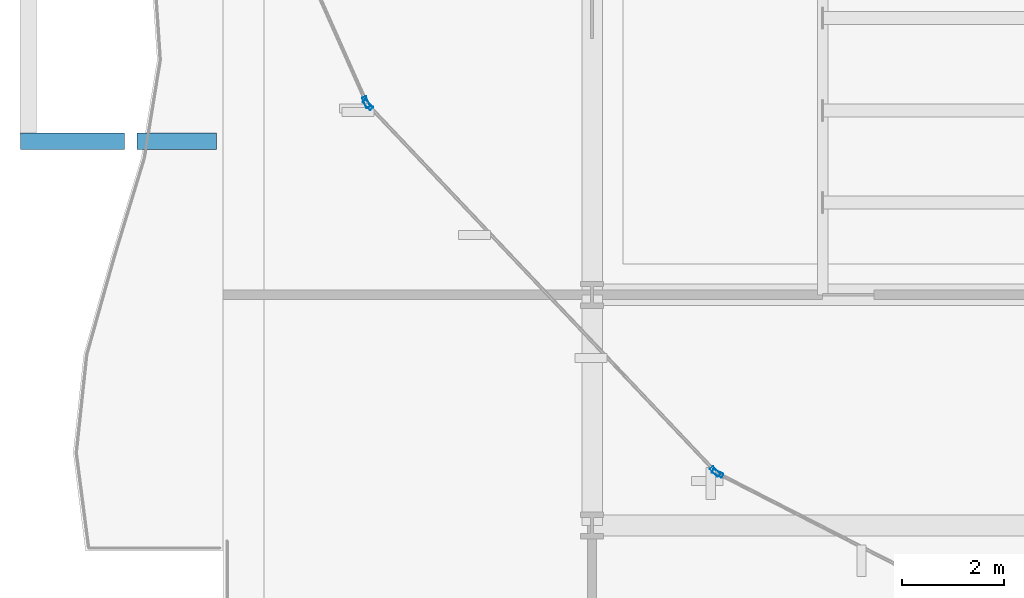
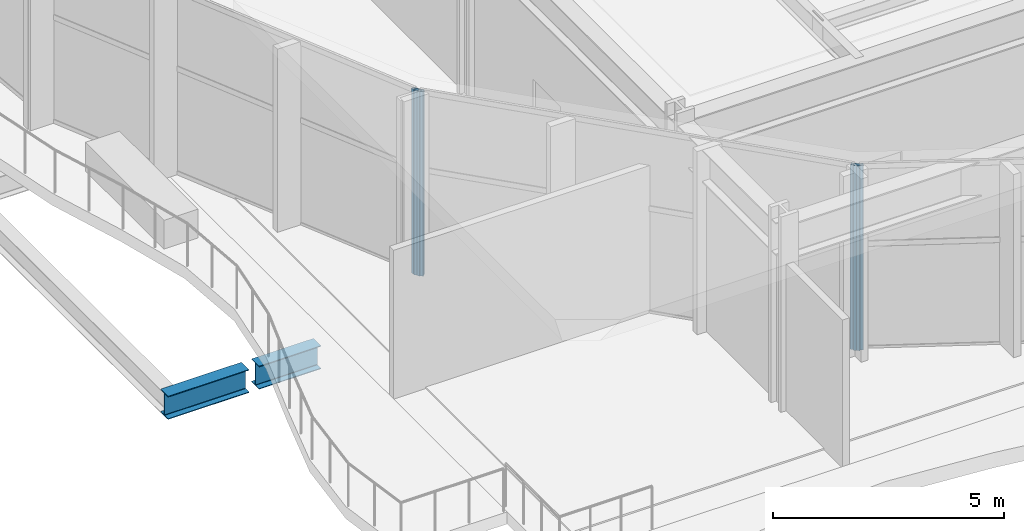
# One storey, part 2 of 33: 4 members, 2 beams, 3 elements without a shape of their own.
"""IFC4 building model written with IfcOpenShell, lengths in metres."""

from ifc_helpers import new_model, si_unit, direction, frame, origin, origin_2d, place, context, subcontext, project, spatial, hollow_rectangle, i_section, extrude, material, layer, layer_set, material_profile, profile_set, type_object, element, aggregate, save


model = new_model("IFC4")

# Units and contexts
model_context = context("Model", 3, precision=1e-05, world=origin(), true_north=direction((0.0, 1.0)))
body_context = subcontext(model_context, "Body", "Model", "MODEL_VIEW")
ifc_project = project(units=[si_unit("LENGTHUNIT", "METRE"), si_unit("AREAUNIT", "SQUARE_METRE"), si_unit("VOLUMEUNIT", "CUBIC_METRE"), si_unit("PLANEANGLEUNIT", "RADIAN"), si_unit("MASSUNIT", "GRAM", prefix="KILO")], contexts=[model_context])

# Site, building, storey
site_placement = place(None, origin())
site = spatial("IfcSite", under=ifc_project, at=site_placement, CompositionType="ELEMENT")
building_placement = place(site_placement, origin())
building = spatial("IfcBuilding", under=site, at=building_placement, Name="Solvaryn Broadcast Tower", CompositionType="ELEMENT")
storey_placement = place(building_placement, frame((0.0, 0.0, 5.800048828125)))
storey = spatial("IfcBuildingStorey", under=building, at=storey_placement, Name="L01", CompositionType="ELEMENT", Elevation=5.800048828125)

# Beams
ifc_material_1 = material(Name="Steel ASTM A992 Grade 50", Category="steel")
ifc_material_profile_1 = material_profile(ifc_material_1, i_section(OverallWidth=0.323974609375, OverallDepth=0.611083984375, WebThickness=0.0126953125, FlangeThickness=0.01904296875, FilletRadius=0.014892578125, at=origin_2d()))
ifc_profile_set_1 = profile_set([ifc_material_profile_1], Name="Steel ASTM A992 Grade 50")
beam_type_1 = type_object("IfcBeamType", Name="BM-B1-W24X104", PredefinedType="BEAM", material=ifc_profile_set_1)
beam_1_placement = place(storey_placement, frame((1.675048828125, 12.0, -0.62548828125), z_axis=(-1.0, 0.0, 0.0), x_axis=(0.0, -1.0, 0.0)))
element("IfcBeam", 1, at=beam_1_placement, inside=storey, type_object=beam_type_1, Name="L01 West Terrace Back-Span Beam Y12", PredefinedType="BEAM", context=body_context, shape_type="SweptSolid", body=[
    extrude(i_section(OverallWidth=0.323974609375, OverallDepth=0.611083984375, WebThickness=0.0126953125, FlangeThickness=0.01904296875, FilletRadius=0.014892578125, at=origin_2d()), origin(), (0.0, 0.0, 1.0), 1.550048828125),
])
ifc_material_2 = material(Name="Steel ASTM A992 Grade 50", Category="steel")
ifc_material_profile_2 = material_profile(ifc_material_2, i_section(OverallWidth=0.323974609375, OverallDepth=0.611083984375, WebThickness=0.0126953125, FlangeThickness=0.01904296875, FilletRadius=0.014892578125, at=origin_2d()))
ifc_profile_set_2 = profile_set([ifc_material_profile_2], Name="Steel ASTM A992 Grade 50")
beam_type_2 = type_object("IfcBeamType", Name="BM-CANT-TER", PredefinedType="BEAM", material=ifc_profile_set_2)
beam_2_placement = place(storey_placement, frame((-0.125, 12.0, -0.62548828125), z_axis=(-1.0, 0.0, 0.0), x_axis=(0.0, -1.0, 0.0)))
element("IfcBeam", 2, at=beam_2_placement, inside=storey, type_object=beam_type_2, Name="L01 West Terrace Cantilever Beam Y12", PredefinedType="BEAM", context=body_context, shape_type="SweptSolid", body=[
    extrude(i_section(OverallWidth=0.323974609375, OverallDepth=0.611083984375, WebThickness=0.0126953125, FlangeThickness=0.01904296875, FilletRadius=0.014892578125, at=origin_2d()), origin(), (0.0, 0.0, 1.0), 2.02490234375),
])

# Curtain wall, member
ifc_material_3 = material(Name="Aluminium and Terracotta Unitised Curtain Wall", Category="masonry")
ifc_layer = layer(ifc_material_3, 0.219970703125)
ifc_layer_set = layer_set([ifc_layer], Name="CW-SYS1-PODIUM")
curtain_wall_type = type_object("IfcCurtainWallType", Name="CW-SYS1-PODIUM", PredefinedType="NOTDEFINED", material=ifc_layer_set)
curtain_wall_1_placement = place(storey_placement, origin())
curtain_wall_1 = element("IfcCurtainWall", 3, at=curtain_wall_1_placement, inside=storey, type_object=curtain_wall_type, Name="L01 Podium Curtain Wall DC2", PredefinedType="NOTDEFINED")
ifc_material_4 = material(Name="Anodised Aluminium 6063-T6", Category="aluminium")
ifc_material_profile_3 = material_profile(ifc_material_4, hollow_rectangle(XDim=0.0849609375, YDim=0.219970703125, WallThickness=0.0048828125, InnerFilletRadius=0.0048828125, OuterFilletRadius=0.010009765625, at=origin_2d()))
ifc_profile_set_3 = profile_set([ifc_material_profile_3], Name="Anodised Aluminium 6063-T6")
member_type = type_object("IfcMemberType", Name="CW-MUL-220", PredefinedType="MULLION", material=ifc_profile_set_3)
member_1_placement = place(storey_placement, frame((4.59375, 12.760498046875, 0.0), z_axis=(0.0, 0.0, 1.0), x_axis=(0.913848967278, 0.406054263621, 0.0)))
member_1 = element("IfcMember", 4, at=member_1_placement, type_object=member_type, Name="CWS1 mullion 2", PredefinedType="MULLION", context=body_context, shape_type="SweptSolid", body=[
    extrude(hollow_rectangle(XDim=0.0849609375, YDim=0.219970703125, WallThickness=0.0048828125, InnerFilletRadius=0.0048828125, OuterFilletRadius=0.010009765625, at=origin_2d()), origin(), (0.0, 0.0, 1.0), 4.8798828125),
])
aggregate(curtain_wall_1, [member_1])

# Curtain wall, members
curtain_wall_2_placement = place(storey_placement, origin())
curtain_wall_2 = element("IfcCurtainWall", 5, at=curtain_wall_2_placement, inside=storey, type_object=curtain_wall_type, Name="L01 Podium Curtain Wall DC3", PredefinedType="NOTDEFINED")
member_2_placement = place(storey_placement, frame((4.626708984375, 12.711181640625, 0.0), z_axis=(0.0, 0.0, 1.0), x_axis=(0.726151362468, 0.68753487096, 0.0)))
member_2 = element("IfcMember", 6, at=member_2_placement, type_object=member_type, Name="CWS1 mullion 1", PredefinedType="MULLION", context=body_context, shape_type="SweptSolid", body=[
    extrude(hollow_rectangle(XDim=0.0849609375, YDim=0.219970703125, WallThickness=0.0048828125, InnerFilletRadius=0.0048828125, OuterFilletRadius=0.010009765625, at=origin_2d()), origin(), (0.0, 0.0, 1.0), 4.8798828125),
])
member_3_placement = place(storey_placement, frame((11.404296875, 5.552734375, 0.0), z_axis=(0.0, 0.0, 1.0), x_axis=(0.726151362468, 0.68753487096, 0.0)))
member_3 = element("IfcMember", 7, at=member_3_placement, type_object=member_type, Name="CWS1 mullion 2", PredefinedType="MULLION", context=body_context, shape_type="SweptSolid", body=[
    extrude(hollow_rectangle(XDim=0.0849609375, YDim=0.219970703125, WallThickness=0.0048828125, InnerFilletRadius=0.0048828125, OuterFilletRadius=0.010009765625, at=origin_2d()), origin(), (0.0, 0.0, 1.0), 4.8798828125),
])
aggregate(curtain_wall_2, [member_2, member_3])

# Curtain wall, member
curtain_wall_3_placement = place(storey_placement, origin())
curtain_wall_3 = element("IfcCurtainWall", 8, at=curtain_wall_3_placement, inside=storey, type_object=curtain_wall_type, Name="L01 Podium Curtain Wall DC4", PredefinedType="NOTDEFINED")
member_4_placement = place(storey_placement, frame((11.45166015625, 5.517333984375, 0.0), z_axis=(0.0, 0.0, 1.0), x_axis=(0.455341994901, 0.89031661092, 0.0)))
member_4 = element("IfcMember", 9, at=member_4_placement, type_object=member_type, Name="CWS1 mullion 1", PredefinedType="MULLION", context=body_context, shape_type="SweptSolid", body=[
    extrude(hollow_rectangle(XDim=0.0849609375, YDim=0.219970703125, WallThickness=0.0048828125, InnerFilletRadius=0.0048828125, OuterFilletRadius=0.010009765625, at=origin_2d()), origin(), (0.0, 0.0, 1.0), 4.8798828125),
])
aggregate(curtain_wall_3, [member_4])

save(model, "model.ifc")
